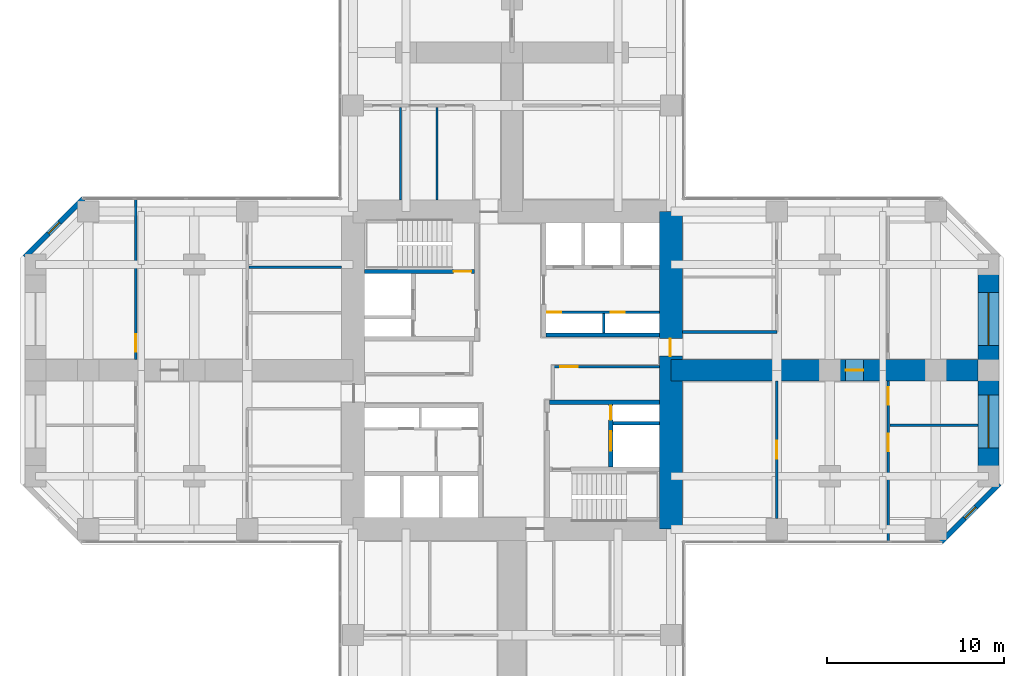
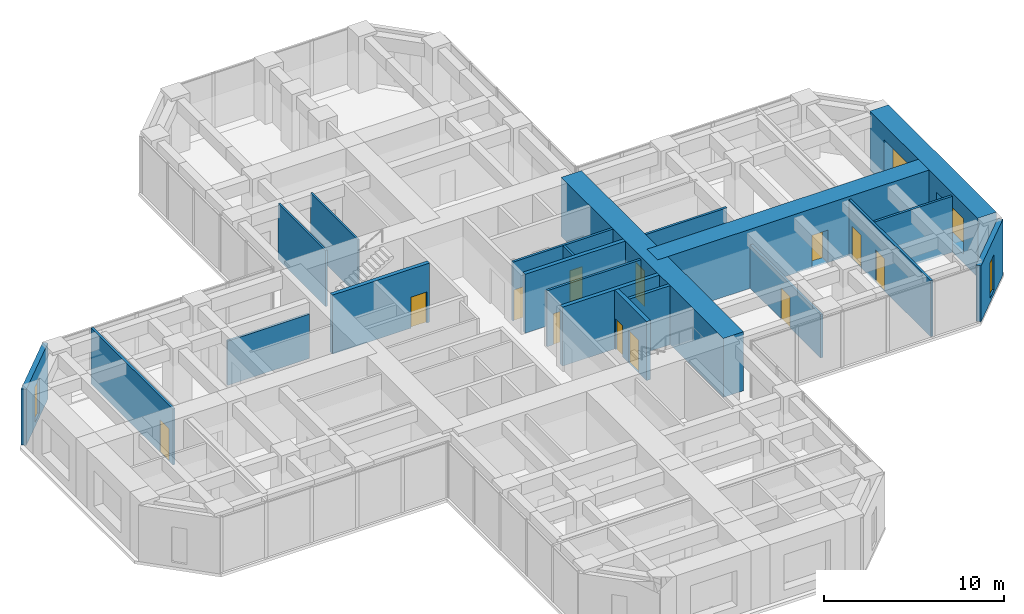
# One storey, part 10 of 13: 21 walls, 12 doors, 4 windows, 16 openings.
"""IFC4 building model written with IfcOpenShell, lengths in metres."""

from ifc_helpers import new_model, si_unit, direction, frame, frame_2d, origin, place, context, subcontext, project, spatial, rectangle, hollow_rectangle, extrude, material, layer, layer_set, constituent, constituent_set, type_object, element, fill, save


model = new_model("IFC4")

# Units and contexts
model_context = context("Model", 3, precision=1e-05, world=origin(), true_north=direction((0.0, 1.0)))
body_context = subcontext(model_context, "Body", "Model", "MODEL_VIEW")
ifc_project = project(units=[si_unit("LENGTHUNIT", "METRE"), si_unit("AREAUNIT", "SQUARE_METRE"), si_unit("VOLUMEUNIT", "CUBIC_METRE"), si_unit("PLANEANGLEUNIT", "RADIAN"), si_unit("MASSUNIT", "GRAM", prefix="KILO")], contexts=[model_context])

# Site, building, storey
site_placement = place(None, origin())
site = spatial("IfcSite", under=ifc_project, at=site_placement, CompositionType="ELEMENT")
building_placement = place(site_placement, origin())
building = spatial("IfcBuilding", under=site, at=building_placement, Name="Torre Cruceta", CompositionType="ELEMENT")
storey_placement = place(building_placement, frame((0.0, 0.0, 55.5)))
storey = spatial("IfcBuildingStorey", under=building, at=storey_placement, Name="L13", CompositionType="ELEMENT", Elevation=55.5)

# Wall
ifc_material_1 = material(Name="Concrete G60 (fck 60 MPa)", Category="concrete")
ifc_layer_1 = layer(ifc_material_1, 0.25)
ifc_layer_set_1 = layer_set([ifc_layer_1], Name="Concrete G60 (fck 60 MPa)")
wall_type_1 = type_object("IfcWallType", Name="CORE INNER WALL 250 G60", PredefinedType="SHEAR", material=ifc_layer_set_1)
wall_1_placement = place(storey_placement, frame((1.925048828125, 2.0, 0.0), z_axis=(0.0, 0.0, 1.0), x_axis=(1.0, 0.0, 0.0)))
element("IfcWall", 1, at=wall_1_placement, inside=storey, type_object=wall_type_1, Name="CW4 L13 NE-CV", PredefinedType="SHEAR", context=body_context, shape_type="SweptSolid", body=[
    extrude(rectangle(XDim=6.425048828125, YDim=0.25, at=frame_2d((3.21240234375, 0.0))), origin(), (0.0, 0.0, 1.0), 4.0),
])

# Wall, opening, door
wall_2_placement = place(storey_placement, frame((-2.125, 5.60009765625, 0.0), z_axis=(0.0, 0.0, 1.0), x_axis=(-1.0, 0.0, 0.0)))
wall_2 = element("IfcWall", 2, at=wall_2_placement, inside=storey, type_object=wall_type_1, Name="CW4 L13 NW-SV", PredefinedType="SHEAR", context=body_context, shape_type="SweptSolid", body=[
    extrude(rectangle(XDim=6.22509765625, YDim=0.25, at=frame_2d((3.112548828125, 0.0))), origin(), (0.0, 0.0, 1.0), 4.0),
])
opening_1_placement = place(wall_2_placement, frame((0.175048828125, 0.0, 0.0)))
opening_1 = element("IfcOpeningElement", 3, at=opening_1_placement, cuts=wall_2, Name="Opening D3", PredefinedType="OPENING", context=body_context, shape_type="SweptSolid", body=[
    extrude(rectangle(XDim=1.0, YDim=2.10009765625, at=frame_2d((0.5, 1.050048828125))), frame((0.0, 0.135009765625, 0.0), z_axis=(0.0, -1.0, 0.0), x_axis=(1.0, 0.0, 0.0)), (0.0, 0.0, 1.0), 0.27001953125),
])
ifc_material_2 = material(Name="Steel DX51D", Category="steel")
ifc_constituent_1 = constituent(ifc_material_2, Name="Leaf and frame")
ifc_material_3 = material(Name="Polyester powder coating", Category="paint")
ifc_constituent_2 = constituent(ifc_material_3, Name="Finish")
ifc_constituent_set_1 = constituent_set(constituents=[ifc_constituent_1, ifc_constituent_2], Name="Steel fire door")
door_type_1 = type_object("IfcDoorType", Name="FIRE DOOR 1000X2100", OperationType="SINGLE_SWING_LEFT", PredefinedType="DOOR", material=ifc_constituent_set_1)
door_1_placement = place(opening_1_placement, frame((1.0, 0.0, 0.0), z_axis=(0.0, 0.0, 1.0), x_axis=(-1.0, 0.0, 0.0)))
door_1 = element("IfcDoor", 4, at=door_1_placement, inside=storey, type_object=door_type_1, Name="D3 L13 NW-STAIR", OperationType="SINGLE_SWING_RIGHT", OverallHeight=2.10009765625, OverallWidth=1.0, PredefinedType="DOOR", context=body_context, shape_type="SweptSolid", body=[
    extrude(rectangle(XDim=1.0, YDim=2.10009765625, at=frame_2d((0.5, 1.050048828125))), frame((0.0, 0.025146484375, 0.0), z_axis=(0.0, -1.0, 0.0), x_axis=(1.0, 0.0, 0.0)), (0.0, 0.0, 1.0), 0.050048828125),
])
fill(opening_1, door_1)

# Wall
wall_3_placement = place(storey_placement, frame((2.125, -1.800048828125, 0.0), z_axis=(0.0, 0.0, 1.0), x_axis=(1.0, 0.0, 0.0)))
element("IfcWall", 5, at=wall_3_placement, inside=storey, type_object=wall_type_1, Name="CW4 L13 SE-CV", PredefinedType="SHEAR", context=body_context, shape_type="SweptSolid", body=[
    extrude(rectangle(XDim=6.22509765625, YDim=0.25, at=frame_2d((3.112548828125, 0.0))), origin(), (0.0, 0.0, 1.0), 4.0),
])

# Wall, openings, doors
wall_4_placement = place(storey_placement, frame((5.60009765625, -1.925048828125, 0.0), z_axis=(0.0, 0.0, 1.0), x_axis=(0.0, -1.0, 0.0)))
wall_4 = element("IfcWall", 6, at=wall_4_placement, inside=storey, type_object=wall_type_1, Name="CW4 L13 SE-FU", PredefinedType="SHEAR", context=body_context, shape_type="SweptSolid", body=[
    extrude(rectangle(XDim=3.550048828125, YDim=0.25, at=frame_2d((1.77490234375, 0.0))), origin(), (0.0, 0.0, 1.0), 4.0),
])
opening_2_placement = place(wall_4_placement, frame((1.52490234375, 0.0, 0.0)))
opening_2 = element("IfcOpeningElement", 7, at=opening_2_placement, cuts=wall_4, Name="Opening LD1", PredefinedType="OPENING", context=body_context, shape_type="SweptSolid", body=[
    extrude(rectangle(XDim=1.10009765625, YDim=2.199951171875, at=frame_2d((0.550048828125, 1.10009765625))), frame((0.0, 0.135009765625, 0.0), z_axis=(0.0, -1.0, 0.0), x_axis=(1.0, 0.0, 0.0)), (0.0, 0.0, 1.0), 0.27001953125),
])
opening_3_placement = place(wall_4_placement, frame((0.074951171875, 0.0, 0.0)))
opening_3 = element("IfcOpeningElement", 8, at=opening_3_placement, cuts=wall_4, Name="Opening D5", PredefinedType="OPENING", context=body_context, shape_type="SweptSolid", body=[
    extrude(rectangle(XDim=0.800048828125, YDim=2.10009765625, at=frame_2d((0.39990234375, 1.050048828125))), frame((0.0, 0.135009765625, 0.0), z_axis=(0.0, -1.0, 0.0), x_axis=(1.0, 0.0, 0.0)), (0.0, 0.0, 1.0), 0.27001953125),
])
ifc_material_4 = material(Name="Stainless steel 1.4401", Category="steel")
door_type_2 = type_object("IfcDoorType", Name="LIFT LANDING DOOR 1100X2200", OperationType="DOUBLE_DOOR_SLIDING", PredefinedType="DOOR", material=ifc_material_4)
door_2_placement = place(opening_2_placement, origin())
door_2 = element("IfcDoor", 9, at=door_2_placement, inside=storey, type_object=door_type_2, Name="Lift landing door FL2", OperationType="DOUBLE_DOOR_SLIDING", OverallHeight=2.199951171875, OverallWidth=1.10009765625, PredefinedType="DOOR", context=body_context, shape_type="SweptSolid", body=[
    extrude(rectangle(XDim=1.10009765625, YDim=2.199951171875, at=frame_2d((0.550048828125, 1.10009765625))), frame((0.0, 0.02490234375, 0.0), z_axis=(0.0, -1.0, 0.0), x_axis=(1.0, 0.0, 0.0)), (0.0, 0.0, 1.0), 0.050048828125),
])
fill(opening_2, door_2)
ifc_material_5 = material(Name="Steel DX51D", Category="steel")
ifc_constituent_3 = constituent(ifc_material_5, Name="Leaf and frame")
ifc_material_6 = material(Name="Polyester powder coating", Category="paint")
ifc_constituent_4 = constituent(ifc_material_6, Name="Finish")
ifc_constituent_set_2 = constituent_set(constituents=[ifc_constituent_3, ifc_constituent_4], Name="Steel fire door")
door_type_3 = type_object("IfcDoorType", Name="RISER ACCESS DOOR 800X2100", OperationType="SINGLE_SWING_LEFT", PredefinedType="DOOR", material=ifc_constituent_set_2)
door_3_placement = place(opening_3_placement, origin())
door_3 = element("IfcDoor", 10, at=door_3_placement, inside=storey, type_object=door_type_3, Name="D5 L13 SE-RISER", OperationType="SINGLE_SWING_LEFT", OverallHeight=2.10009765625, OverallWidth=0.800048828125, PredefinedType="DOOR", context=body_context, shape_type="SweptSolid", body=[
    extrude(rectangle(XDim=0.800048828125, YDim=2.10009765625, at=frame_2d((0.39990234375, 1.050048828125))), frame((0.0, 0.02490234375, 0.0), z_axis=(0.0, -1.0, 0.0), x_axis=(1.0, 0.0, 0.0)), (0.0, 0.0, 1.0), 0.050048828125),
])
fill(opening_3, door_3)

# Wall, opening, door
ifc_material_7 = material(Name="Concrete G60 (fck 60 MPa)", Category="concrete")
ifc_layer_2 = layer(ifc_material_7, 1.300048828125)
ifc_layer_set_2 = layer_set([ifc_layer_2], Name="Concrete G60 (fck 60 MPa)")
wall_type_2 = type_object("IfcWallType", Name="CORE WALL 1300 G60", PredefinedType="SHEAR", material=ifc_layer_set_2)
wall_5_placement = place(storey_placement, frame((9.0, -9.0, 0.0), z_axis=(0.0, 0.0, 1.0), x_axis=(0.0, 1.0, 0.0)))
wall_5 = element("IfcWall", 11, at=wall_5_placement, inside=storey, type_object=wall_type_2, Name="CW1 L13 CW-E", PredefinedType="SHEAR", context=body_context, shape_type="SweptSolid", body=[
    extrude(rectangle(XDim=18.0, YDim=1.300048828125, at=frame_2d((9.0, 0.0))), origin(), (0.0, 0.0, 1.0), 4.0),
])
opening_4_placement = place(wall_5_placement, frame((9.800048828125, 0.0, 0.0)))
opening_4 = element("IfcOpeningElement", 12, at=opening_4_placement, cuts=wall_5, Name="Opening D4", PredefinedType="OPENING", context=body_context, shape_type="SweptSolid", body=[
    extrude(rectangle(XDim=1.0, YDim=2.39990234375, at=frame_2d((0.5, 1.199951171875))), frame((0.0, 0.659912109375, 0.0), z_axis=(0.0, -1.0, 0.0), x_axis=(1.0, 0.0, 0.0)), (0.0, 0.0, 1.0), 1.320068359375),
])
ifc_material_8 = material(Name="Steel DX51D", Category="steel")
ifc_constituent_5 = constituent(ifc_material_8, Name="Leaf and frame")
ifc_material_9 = material(Name="Polyester powder coating", Category="paint")
ifc_constituent_6 = constituent(ifc_material_9, Name="Finish")
ifc_constituent_set_3 = constituent_set(constituents=[ifc_constituent_5, ifc_constituent_6], Name="Steel fire door")
door_type_4 = type_object("IfcDoorType", Name="CORE ARM DOOR 1000X2400", OperationType="SINGLE_SWING_RIGHT", PredefinedType="DOOR", material=ifc_constituent_set_3)
door_4_placement = place(opening_4_placement, frame((1.0, 0.0, 0.0), z_axis=(0.0, 0.0, 1.0), x_axis=(-1.0, 0.0, 0.0)))
door_4 = element("IfcDoor", 13, at=door_4_placement, inside=storey, type_object=door_type_4, Name="D4 L13 CW-E", OperationType="SINGLE_SWING_RIGHT", OverallHeight=2.39990234375, OverallWidth=1.0, PredefinedType="DOOR", context=body_context, shape_type="SweptSolid", body=[
    extrude(rectangle(XDim=1.0, YDim=2.39990234375, at=frame_2d((0.5, 1.199951171875))), frame((0.0, -0.005126953125, 0.0), z_axis=(0.0, -1.0, 0.0), x_axis=(1.0, 0.0, 0.0)), (0.0, 0.0, 1.0), 0.050048828125),
])
fill(opening_4, door_4)

# Wall, opening, window
ifc_material_10 = material(Name="Concrete G30 (fck 30 MPa)", Category="concrete")
ifc_layer_3 = layer(ifc_material_10, 0.300048828125)
ifc_layer_set_3 = layer_set([ifc_layer_3], Name="Concrete G30 (fck 30 MPa)")
wall_type_3 = type_object("IfcWallType", Name="EXPOSED CONCRETE FACADE WALL 300", PredefinedType="SOLIDWALL", material=ifc_layer_set_3)
wall_6_placement = place(storey_placement, frame((24.29833984375, -9.719970703125, 0.0), z_axis=(0.0, 0.0, 1.0), x_axis=(0.707106781187, 0.707106781187, 0.0)))
wall_6 = element("IfcWall", 14, at=wall_6_placement, inside=storey, type_object=wall_type_3, Name="EW1 facade wall L13 E chamfer 01", PredefinedType="SOLIDWALL", context=body_context, shape_type="SweptSolid", body=[
    extrude(rectangle(XDim=4.66943359375, YDim=0.300048828125, at=frame_2d((2.334716796875, 0.0))), origin(), (0.0, 0.0, 1.0), 3.800048828125),
])
opening_5_placement = place(wall_6_placement, frame((1.884765625, 0.0, 0.300048828125)))
opening_5 = element("IfcOpeningElement", 15, at=opening_5_placement, cuts=wall_6, Name="Opening WN5", PredefinedType="OPENING", context=body_context, shape_type="SweptSolid", body=[
    extrude(rectangle(XDim=0.89990234375, YDim=2.39990234375, at=frame_2d((0.449951171875, 1.199951171875))), frame((0.0, 0.159912109375, 0.0), z_axis=(0.0, -1.0, 0.0), x_axis=(1.0, 0.0, 0.0)), (0.0, 0.0, 1.0), 0.320068359375),
])
ifc_material_11 = material(Name="Aluminium window frame", Category="aluminium")
ifc_constituent_7 = constituent(ifc_material_11, Name="Frame")
ifc_material_12 = material(Name="Laminated insulating glass unit, low-iron clear", Category="glass")
ifc_constituent_8 = constituent(ifc_material_12, Name="Glazing")
ifc_constituent_set_4 = constituent_set(constituents=[ifc_constituent_7, ifc_constituent_8], Name="Aluminium window")
window_type_1 = type_object("IfcWindowType", Name="CHAMFER SLOT WINDOW 900X2400", PartitioningType="SINGLE_PANEL", PredefinedType="WINDOW", material=ifc_constituent_set_4)
window_1_placement = place(opening_5_placement, origin())
window_1 = element("IfcWindow", 16, at=window_1_placement, inside=storey, type_object=window_type_1, Name="WN5 L13 E 1", OverallHeight=2.39990234375, OverallWidth=0.89990234375, PartitioningType="SINGLE_PANEL", PredefinedType="WINDOW", context=body_context, shape_type="SweptSolid", body=[
    extrude(hollow_rectangle(XDim=0.89990234375, YDim=2.39990234375, WallThickness=0.06005859375, at=frame_2d((0.449951171875, 1.199951171875))), frame((0.0, 0.030029296875, 0.0), z_axis=(0.0, -1.0, 0.0), x_axis=(1.0, 0.0, 0.0)), (0.0, 0.0, 1.0), 0.06005859375),
    extrude(rectangle(XDim=0.77880859375, YDim=2.27880859375, at=frame_2d((0.449951171875, 1.199951171875))), frame((0.0, 0.030029296875, 0.0), z_axis=(0.0, -1.0, 0.0), x_axis=(1.0, 0.0, 0.0)), (0.0, 0.0, 1.0), 0.06005859375),
])
fill(opening_5, window_1)

wall_7_placement = place(storey_placement, frame((-24.29833984375, 9.719970703125, 0.0), z_axis=(0.0, 0.0, 1.0), x_axis=(-0.707106781187, -0.707106781187, 0.0)))
wall_7 = element("IfcWall", 17, at=wall_7_placement, inside=storey, type_object=wall_type_3, Name="EW1 facade wall L13 W chamfer 11", PredefinedType="SOLIDWALL", context=body_context, shape_type="SweptSolid", body=[
    extrude(rectangle(XDim=4.66943359375, YDim=0.300048828125, at=frame_2d((2.334716796875, 0.0))), origin(), (0.0, 0.0, 1.0), 3.800048828125),
])
opening_6_placement = place(wall_7_placement, frame((1.884765625, 0.0, 0.300048828125)))
opening_6 = element("IfcOpeningElement", 18, at=opening_6_placement, cuts=wall_7, Name="Opening WN5", PredefinedType="OPENING", context=body_context, shape_type="SweptSolid", body=[
    extrude(rectangle(XDim=0.89990234375, YDim=2.39990234375, at=frame_2d((0.449951171875, 1.199951171875))), frame((0.0, 0.159912109375, 0.0), z_axis=(0.0, -1.0, 0.0), x_axis=(1.0, 0.0, 0.0)), (0.0, 0.0, 1.0), 0.320068359375),
])
window_2_placement = place(opening_6_placement, origin())
window_2 = element("IfcWindow", 19, at=window_2_placement, inside=storey, type_object=window_type_1, Name="WN5 L13 W 1", OverallHeight=2.39990234375, OverallWidth=0.89990234375, PartitioningType="SINGLE_PANEL", PredefinedType="WINDOW", context=body_context, shape_type="SweptSolid", body=[
    extrude(hollow_rectangle(XDim=0.89990234375, YDim=2.39990234375, WallThickness=0.06005859375, at=frame_2d((0.449951171875, 1.199951171875))), frame((0.0, 0.030029296875, 0.0), z_axis=(0.0, -1.0, 0.0), x_axis=(1.0, 0.0, 0.0)), (0.0, 0.0, 1.0), 0.06005859375),
    extrude(rectangle(XDim=0.77880859375, YDim=2.27880859375, at=frame_2d((0.449951171875, 1.199951171875))), frame((0.0, 0.030029296875, 0.0), z_axis=(0.0, -1.0, 0.0), x_axis=(1.0, 0.0, 0.0)), (0.0, 0.0, 1.0), 0.06005859375),
])
fill(opening_6, window_2)

# Wall
ifc_material_13 = material(Name="Concrete G35 (fck 35 MPa)", Category="concrete")
ifc_layer_4 = layer(ifc_material_13, 0.199951171875)
ifc_layer_set_4 = layer_set([ifc_layer_4], Name="Concrete G35 (fck 35 MPa)")
wall_type_4 = type_object("IfcWallType", Name="LIFT SHAFT WALL 200", PredefinedType="PARTITIONING", material=ifc_layer_set_4)
wall_8_placement = place(storey_placement, frame((5.72509765625, -3.0, 0.0), z_axis=(0.0, 0.0, 1.0), x_axis=(1.0, 0.0, 0.0)))
element("IfcWall", 20, at=wall_8_placement, inside=storey, type_object=wall_type_4, Name="SW1 L13 SE-FR", PredefinedType="PARTITIONING", context=body_context, shape_type="SweptSolid", body=[
    extrude(rectangle(XDim=2.625, YDim=0.199951171875, at=frame_2d((1.3125, 0.0))), origin(), (0.0, 0.0, 1.0), 4.0),
])

# Wall, openings, windows
ifc_material_14 = material(Name="Concrete G60 (fck 60 MPa)", Category="concrete")
ifc_layer_5 = layer(ifc_material_14, 1.199951171875)
ifc_layer_set_5 = layer_set([ifc_layer_5], Name="Concrete G60 (fck 60 MPa)")
wall_type_5 = type_object("IfcWallType", Name="NOSE WALL 1200 G60", PredefinedType="SHEAR", material=ifc_layer_set_5)
wall_9_placement = place(storey_placement, frame((27.0, -6.0, 0.0), z_axis=(0.0, 0.0, 1.0), x_axis=(0.0, 1.0, 0.0)))
wall_9 = element("IfcWall", 21, at=wall_9_placement, inside=storey, type_object=wall_type_5, Name="NW1 nose wall L13 E", PredefinedType="SHEAR", context=body_context, shape_type="SweptSolid", body=[
    extrude(rectangle(XDim=12.0, YDim=1.199951171875, at=frame_2d((6.0, 0.0))), origin(), (0.0, 0.0, 1.0), 4.0),
])
opening_7_placement = place(wall_9_placement, frame((1.60009765625, 0.0, 0.60009765625)))
opening_7 = element("IfcOpeningElement", 22, at=opening_7_placement, cuts=wall_9, Name="Opening WN6", PredefinedType="OPENING", context=body_context, shape_type="SweptSolid", body=[
    extrude(rectangle(XDim=3.0, YDim=2.39990234375, at=frame_2d((1.5, 1.199951171875))), frame((0.0, 0.60986328125, 0.0), z_axis=(0.0, -1.0, 0.0), x_axis=(1.0, 0.0, 0.0)), (0.0, 0.0, 1.0), 1.219970703125),
])
opening_8_placement = place(wall_9_placement, frame((7.39990234375, 0.0, 0.60009765625)))
opening_8 = element("IfcOpeningElement", 23, at=opening_8_placement, cuts=wall_9, Name="Opening WN6", PredefinedType="OPENING", context=body_context, shape_type="SweptSolid", body=[
    extrude(rectangle(XDim=3.0, YDim=2.39990234375, at=frame_2d((1.5, 1.199951171875))), frame((0.0, 0.60986328125, 0.0), z_axis=(0.0, -1.0, 0.0), x_axis=(1.0, 0.0, 0.0)), (0.0, 0.0, 1.0), 1.219970703125),
])
ifc_material_15 = material(Name="Aluminium window frame", Category="aluminium")
ifc_constituent_9 = constituent(ifc_material_15, Name="Frame")
ifc_material_16 = material(Name="Laminated insulating glass unit, low-iron clear", Category="glass")
ifc_constituent_10 = constituent(ifc_material_16, Name="Glazing")
ifc_constituent_set_5 = constituent_set(constituents=[ifc_constituent_9, ifc_constituent_10], Name="Aluminium window")
window_type_2 = type_object("IfcWindowType", Name="NOSE WALL WINDOW 3000X2400", PartitioningType="SINGLE_PANEL", PredefinedType="WINDOW", material=ifc_constituent_set_5)
window_3_placement = place(opening_7_placement, origin())
window_3 = element("IfcWindow", 24, at=window_3_placement, inside=storey, type_object=window_type_2, Name="WN6 L13 E 1", OverallHeight=2.39990234375, OverallWidth=3.0, PartitioningType="SINGLE_PANEL", PredefinedType="WINDOW", context=body_context, shape_type="SweptSolid", body=[
    extrude(hollow_rectangle(XDim=3.0, YDim=2.39990234375, WallThickness=0.06005859375, at=frame_2d((1.5, 1.199951171875))), frame((0.0, 0.030029296875, 0.0), z_axis=(0.0, -1.0, 0.0), x_axis=(1.0, 0.0, 0.0)), (0.0, 0.0, 1.0), 0.06005859375),
    extrude(rectangle(XDim=2.87890625, YDim=2.27880859375, at=frame_2d((1.5, 1.199951171875))), frame((0.0, 0.030029296875, 0.0), z_axis=(0.0, -1.0, 0.0), x_axis=(1.0, 0.0, 0.0)), (0.0, 0.0, 1.0), 0.06005859375),
])
fill(opening_7, window_3)
window_4_placement = place(opening_8_placement, origin())
window_4 = element("IfcWindow", 25, at=window_4_placement, inside=storey, type_object=window_type_2, Name="WN6 L13 E 2", OverallHeight=2.39990234375, OverallWidth=3.0, PartitioningType="SINGLE_PANEL", PredefinedType="WINDOW", context=body_context, shape_type="SweptSolid", body=[
    extrude(hollow_rectangle(XDim=3.0, YDim=2.39990234375, WallThickness=0.06005859375, at=frame_2d((1.5, 1.199951171875))), frame((0.0, 0.030029296875, 0.0), z_axis=(0.0, -1.0, 0.0), x_axis=(1.0, 0.0, 0.0)), (0.0, 0.0, 1.0), 0.06005859375),
    extrude(rectangle(XDim=2.87890625, YDim=2.27880859375, at=frame_2d((1.5, 1.199951171875))), frame((0.0, 0.030029296875, 0.0), z_axis=(0.0, -1.0, 0.0), x_axis=(1.0, 0.0, 0.0)), (0.0, 0.0, 1.0), 0.06005859375),
])
fill(opening_8, window_4)

# Wall, opening, door
ifc_material_17 = material(Name="Plasterboard on steel studs", Category="steel")
ifc_layer_6 = layer(ifc_material_17, 0.14990234375)
ifc_layer_set_6 = layer_set([ifc_layer_6], Name="Plasterboard on steel studs")
wall_type_6 = type_object("IfcWallType", Name="PARTITION 150", PredefinedType="PARTITIONING", material=ifc_layer_set_6)
wall_10_placement = place(storey_placement, frame((2.324951171875, 0.199951171875, 0.0), z_axis=(0.0, 0.0, 1.0), x_axis=(1.0, 0.0, 0.0)))
wall_10 = element("IfcWall", 26, at=wall_10_placement, inside=storey, type_object=wall_type_6, Name="PT1 L13-CORE-LEGE-S-W1", PredefinedType="PARTITIONING", context=body_context, shape_type="SweptSolid", body=[
    extrude(rectangle(XDim=6.025146484375, YDim=0.14990234375, at=frame_2d((3.0126953125, 0.0))), origin(), (0.0, 0.0, 1.0), 3.800048828125),
])
opening_9_placement = place(wall_10_placement, frame((0.39990234375, 0.0, 0.0)))
opening_9 = element("IfcOpeningElement", 27, at=opening_9_placement, cuts=wall_10, Name="Opening D3", PredefinedType="OPENING", context=body_context, shape_type="SweptSolid", body=[
    extrude(rectangle(XDim=1.0, YDim=2.10009765625, at=frame_2d((0.5, 1.050048828125))), frame((0.0, 0.0849609375, 0.0), z_axis=(0.0, -1.0, 0.0), x_axis=(1.0, 0.0, 0.0)), (0.0, 0.0, 1.0), 0.169921875),
])
door_5_placement = place(opening_9_placement, frame((1.0, 0.0, 0.0), z_axis=(0.0, 0.0, 1.0), x_axis=(-1.0, 0.0, 0.0)))
door_5 = element("IfcDoor", 28, at=door_5_placement, inside=storey, type_object=door_type_1, Name="D3 L13-CORE-LEGE-S-W1-D1", OperationType="SINGLE_SWING_RIGHT", OverallHeight=2.10009765625, OverallWidth=1.0, PredefinedType="DOOR", context=body_context, shape_type="SweptSolid", body=[
    extrude(rectangle(XDim=1.0, YDim=2.10009765625, at=frame_2d((0.5, 1.050048828125))), frame((0.0, 0.025146484375, 0.0), z_axis=(0.0, -1.0, 0.0), x_axis=(1.0, 0.0, 0.0)), (0.0, 0.0, 1.0), 0.050048828125),
])
fill(opening_9, door_5)

# Wall
wall_11_placement = place(storey_placement, frame((9.64990234375, 2.175048828125, 0.0), z_axis=(0.0, 0.0, 1.0), x_axis=(1.0, 0.0, 0.0)))
element("IfcWall", 29, at=wall_11_placement, inside=storey, type_object=wall_type_6, Name="PT1 L13-E-BSL", PredefinedType="PARTITIONING", context=body_context, shape_type="SweptSolid", body=[
    extrude(rectangle(XDim=5.35009765625, YDim=0.14990234375, at=frame_2d((2.675048828125, 0.0))), origin(), (0.0, 0.0, 1.0), 3.800048828125),
])

# Wall, opening, door
wall_12_placement = place(storey_placement, frame((15.0, -8.39990234375, 0.0), z_axis=(0.0, 0.0, 1.0), x_axis=(0.0, 1.0, 0.0)))
wall_12 = element("IfcWall", 30, at=wall_12_placement, inside=storey, type_object=wall_type_6, Name="PT1 L13-E-BFR", PredefinedType="PARTITIONING", context=body_context, shape_type="SweptSolid", body=[
    extrude(rectangle(XDim=7.7998046875, YDim=0.14990234375, at=frame_2d((3.89990234375, 0.0))), origin(), (0.0, 0.0, 1.0), 2.949951171875),
])
opening_10_placement = place(wall_12_placement, frame((3.39990234375, 0.0, 0.0)))
opening_10 = element("IfcOpeningElement", 31, at=opening_10_placement, cuts=wall_12, Name="Opening D3", PredefinedType="OPENING", context=body_context, shape_type="SweptSolid", body=[
    extrude(rectangle(XDim=1.0, YDim=2.10009765625, at=frame_2d((0.5, 1.050048828125))), frame((0.0, 0.0849609375, 0.0), z_axis=(0.0, -1.0, 0.0), x_axis=(1.0, 0.0, 0.0)), (0.0, 0.0, 1.0), 0.169921875),
])
door_6_placement = place(opening_10_placement, origin())
door_6 = element("IfcDoor", 32, at=door_6_placement, inside=storey, type_object=door_type_1, Name="D3 L13-E-BFR-D1", OperationType="SINGLE_SWING_RIGHT", OverallHeight=2.10009765625, OverallWidth=1.0, PredefinedType="DOOR", context=body_context, shape_type="SweptSolid", body=[
    extrude(rectangle(XDim=1.0, YDim=2.10009765625, at=frame_2d((0.5, 1.050048828125))), frame((0.0, 0.02490234375, 0.0), z_axis=(0.0, -1.0, 0.0), x_axis=(1.0, 0.0, 0.0)), (0.0, 0.0, 1.0), 0.050048828125),
])
fill(opening_10, door_6)

# Wall
wall_13_placement = place(storey_placement, frame((21.419921875, -3.117919921875, 0.0), z_axis=(0.0, 0.0, 1.0), x_axis=(1.0, 0.0, 0.0)))
element("IfcWall", 33, at=wall_13_placement, inside=storey, type_object=wall_type_6, Name="PT1 L13-E-TDR", PredefinedType="PARTITIONING", context=body_context, shape_type="SweptSolid", body=[
    extrude(rectangle(XDim=4.97998046875, YDim=0.14990234375, at=frame_2d((2.489990234375, 0.0))), origin(), (0.0, 0.0, 1.0), 3.800048828125),
])

# Wall, openings, doors
wall_14_placement = place(storey_placement, frame((21.320068359375, -9.679931640625, 0.0), z_axis=(0.0, 0.0, 1.0), x_axis=(0.0, 1.0, 0.0)))
wall_14 = element("IfcWall", 34, at=wall_14_placement, inside=storey, type_object=wall_type_6, Name="PT1 L13-E-TWR", PredefinedType="PARTITIONING", context=body_context, shape_type="SweptSolid", body=[
    extrude(rectangle(XDim=9.079833984375, YDim=0.14990234375, at=frame_2d((4.5400390625, 0.0))), origin(), (0.0, 0.0, 1.0), 3.800048828125),
])
opening_11_placement = place(wall_14_placement, frame((5.0869140625, 0.0, 0.0)))
opening_11 = element("IfcOpeningElement", 35, at=opening_11_placement, cuts=wall_14, Name="Opening D14", PredefinedType="OPENING", context=body_context, shape_type="SweptSolid", body=[
    extrude(rectangle(XDim=1.0, YDim=2.199951171875, at=frame_2d((0.5, 1.10009765625))), frame((0.0, 0.0849609375, 0.0), z_axis=(0.0, -1.0, 0.0), x_axis=(1.0, 0.0, 0.0)), (0.0, 0.0, 1.0), 0.169921875),
])
opening_12_placement = place(wall_14_placement, frame((7.72998046875, 0.0, 0.0)))
opening_12 = element("IfcOpeningElement", 36, at=opening_12_placement, cuts=wall_14, Name="Opening D14", PredefinedType="OPENING", context=body_context, shape_type="SweptSolid", body=[
    extrude(rectangle(XDim=1.0, YDim=2.199951171875, at=frame_2d((0.5, 1.10009765625))), frame((0.0, 0.0849609375, 0.0), z_axis=(0.0, -1.0, 0.0), x_axis=(1.0, 0.0, 0.0)), (0.0, 0.0, 1.0), 0.169921875),
])
ifc_material_18 = material(Name="Steel DX51D", Category="steel")
ifc_constituent_11 = constituent(ifc_material_18, Name="Leaf and frame")
ifc_material_19 = material(Name="Polyester powder coating", Category="paint")
ifc_constituent_12 = constituent(ifc_material_19, Name="Finish")
ifc_material_20 = material(Name="Fire-resisting glass", Category="glass")
ifc_constituent_13 = constituent(ifc_material_20, Name="Vision panel")
ifc_constituent_set_6 = constituent_set(constituents=[ifc_constituent_11, ifc_constituent_12, ifc_constituent_13], Name="Steel fire door with vision panel")
door_type_5 = type_object("IfcDoorType", Name="FIRE DOOR VISION PANEL 1000X2200", OperationType="SINGLE_SWING_RIGHT", PredefinedType="DOOR", material=ifc_constituent_set_6)
door_7_placement = place(opening_11_placement, frame((1.0, 0.0, 0.0), z_axis=(0.0, 0.0, 1.0), x_axis=(-1.0, 0.0, 0.0)))
door_7 = element("IfcDoor", 37, at=door_7_placement, inside=storey, type_object=door_type_5, Name="D14 L13-E-TWR-D1", OperationType="SINGLE_SWING_LEFT", OverallHeight=2.199951171875, OverallWidth=1.0, PredefinedType="DOOR", context=body_context, shape_type="SweptSolid", body=[
    extrude(rectangle(XDim=1.0, YDim=2.199951171875, at=frame_2d((0.5, 1.10009765625))), frame((0.0, 0.025146484375, 0.0), z_axis=(0.0, -1.0, 0.0), x_axis=(1.0, 0.0, 0.0)), (0.0, 0.0, 1.0), 0.050048828125),
])
fill(opening_11, door_7)
door_8_placement = place(opening_12_placement, frame((1.0, 0.0, 0.0), z_axis=(0.0, 0.0, 1.0), x_axis=(-1.0, 0.0, 0.0)))
door_8 = element("IfcDoor", 38, at=door_8_placement, inside=storey, type_object=door_type_5, Name="D14 L13-E-TWR-D2", OperationType="SINGLE_SWING_LEFT", OverallHeight=2.199951171875, OverallWidth=1.0, PredefinedType="DOOR", context=body_context, shape_type="SweptSolid", body=[
    extrude(rectangle(XDim=1.0, YDim=2.199951171875, at=frame_2d((0.5, 1.10009765625))), frame((0.0, 0.025146484375, 0.0), z_axis=(0.0, -1.0, 0.0), x_axis=(1.0, 0.0, 0.0)), (0.0, 0.0, 1.0), 0.050048828125),
])
fill(opening_12, door_8)

# Wall
wall_15_placement = place(storey_placement, frame((-9.64990234375, 5.833251953125, 0.0), z_axis=(0.0, 0.0, 1.0), x_axis=(-1.0, 0.0, 0.0)))
element("IfcWall", 39, at=wall_15_placement, inside=storey, type_object=wall_type_6, Name="PT1 L13-W-BDR2", PredefinedType="PARTITIONING", context=body_context, shape_type="SweptSolid", body=[
    extrude(rectangle(XDim=5.25, YDim=0.14990234375, at=frame_2d((2.625, 0.0))), origin(), (0.0, 0.0, 1.0), 3.0),
])

# Wall, opening, door
wall_16_placement = place(storey_placement, frame((-21.320068359375, 9.679931640625, 0.0), z_axis=(0.0, 0.0, 1.0), x_axis=(0.0, -1.0, 0.0)))
wall_16 = element("IfcWall", 40, at=wall_16_placement, inside=storey, type_object=wall_type_6, Name="PT1 L13-W-TWR", PredefinedType="PARTITIONING", context=body_context, shape_type="SweptSolid", body=[
    extrude(rectangle(XDim=9.079833984375, YDim=0.14990234375, at=frame_2d((4.5400390625, 0.0))), origin(), (0.0, 0.0, 1.0), 3.800048828125),
])
opening_13_placement = place(wall_16_placement, frame((7.6298828125, 0.0, 0.0)))
opening_13 = element("IfcOpeningElement", 41, at=opening_13_placement, cuts=wall_16, Name="Opening D14", PredefinedType="OPENING", context=body_context, shape_type="SweptSolid", body=[
    extrude(rectangle(XDim=1.0, YDim=2.199951171875, at=frame_2d((0.5, 1.10009765625))), frame((0.0, 0.0849609375, 0.0), z_axis=(0.0, -1.0, 0.0), x_axis=(1.0, 0.0, 0.0)), (0.0, 0.0, 1.0), 0.169921875),
])
door_9_placement = place(opening_13_placement, frame((1.0, 0.0, 0.0), z_axis=(0.0, 0.0, 1.0), x_axis=(-1.0, 0.0, 0.0)))
door_9 = element("IfcDoor", 42, at=door_9_placement, inside=storey, type_object=door_type_5, Name="D14 L13-W-TWR-D1", OperationType="SINGLE_SWING_LEFT", OverallHeight=2.199951171875, OverallWidth=1.0, PredefinedType="DOOR", context=body_context, shape_type="SweptSolid", body=[
    extrude(rectangle(XDim=1.0, YDim=2.199951171875, at=frame_2d((0.5, 1.10009765625))), frame((0.0, 0.025146484375, 0.0), z_axis=(0.0, -1.0, 0.0), x_axis=(1.0, 0.0, 0.0)), (0.0, 0.0, 1.0), 0.050048828125),
])
fill(opening_13, door_9)

# Wall, openings, doors
ifc_material_21 = material(Name="Concrete block masonry", Category="masonry")
ifc_layer_7 = layer(ifc_material_21, 0.14990234375)
ifc_layer_set_7 = layer_set([ifc_layer_7], Name="Concrete block masonry")
wall_type_7 = type_object("IfcWallType", Name="RISER WALL 150", PredefinedType="PARTITIONING", material=ifc_layer_set_7)
wall_17_placement = place(storey_placement, frame((1.925048828125, 3.300048828125, 0.0), z_axis=(0.0, 0.0, 1.0), x_axis=(1.0, 0.0, 0.0)))
wall_17 = element("IfcWall", 43, at=wall_17_placement, inside=storey, type_object=wall_type_7, Name="SW7 L13 NE-RV", PredefinedType="PARTITIONING", context=body_context, shape_type="SweptSolid", body=[
    extrude(rectangle(XDim=6.425048828125, YDim=0.14990234375, at=frame_2d((3.21240234375, 0.0))), origin(), (0.0, 0.0, 1.0), 4.0),
])
opening_14_placement = place(wall_17_placement, frame((0.074951171875, 0.0, 0.0)))
opening_14 = element("IfcOpeningElement", 44, at=opening_14_placement, cuts=wall_17, Name="Opening D5", PredefinedType="OPENING", context=body_context, shape_type="SweptSolid", body=[
    extrude(rectangle(XDim=0.800048828125, YDim=2.10009765625, at=frame_2d((0.39990234375, 1.050048828125))), frame((0.0, 0.0849609375, 0.0), z_axis=(0.0, -1.0, 0.0), x_axis=(1.0, 0.0, 0.0)), (0.0, 0.0, 1.0), 0.169921875),
])
opening_15_placement = place(wall_17_placement, frame((3.675048828125, 0.0, 0.0)))
opening_15 = element("IfcOpeningElement", 45, at=opening_15_placement, cuts=wall_17, Name="Opening D5", PredefinedType="OPENING", context=body_context, shape_type="SweptSolid", body=[
    extrude(rectangle(XDim=0.800048828125, YDim=2.10009765625, at=frame_2d((0.39990234375, 1.050048828125))), frame((0.0, 0.0849609375, 0.0), z_axis=(0.0, -1.0, 0.0), x_axis=(1.0, 0.0, 0.0)), (0.0, 0.0, 1.0), 0.169921875),
])
door_10_placement = place(opening_14_placement, frame((0.800048828125, 0.0, 0.0), z_axis=(0.0, 0.0, 1.0), x_axis=(-1.0, 0.0, 0.0)))
door_10 = element("IfcDoor", 46, at=door_10_placement, inside=storey, type_object=door_type_3, Name="D5 L13 NE-RISER1", OperationType="SINGLE_SWING_RIGHT", OverallHeight=2.10009765625, OverallWidth=0.800048828125, PredefinedType="DOOR", context=body_context, shape_type="SweptSolid", body=[
    extrude(rectangle(XDim=0.800048828125, YDim=2.10009765625, at=frame_2d((0.400146484375, 1.050048828125))), frame((0.0, 0.025146484375, 0.0), z_axis=(0.0, -1.0, 0.0), x_axis=(1.0, 0.0, 0.0)), (0.0, 0.0, 1.0), 0.050048828125),
])
fill(opening_14, door_10)
door_11_placement = place(opening_15_placement, frame((0.800048828125, 0.0, 0.0), z_axis=(0.0, 0.0, 1.0), x_axis=(-1.0, 0.0, 0.0)))
door_11 = element("IfcDoor", 47, at=door_11_placement, inside=storey, type_object=door_type_3, Name="D5 L13 NE-RISER2", OperationType="SINGLE_SWING_RIGHT", OverallHeight=2.10009765625, OverallWidth=0.800048828125, PredefinedType="DOOR", context=body_context, shape_type="SweptSolid", body=[
    extrude(rectangle(XDim=0.800048828125, YDim=2.10009765625, at=frame_2d((0.400146484375, 1.050048828125))), frame((0.0, 0.025146484375, 0.0), z_axis=(0.0, -1.0, 0.0), x_axis=(1.0, 0.0, 0.0)), (0.0, 0.0, 1.0), 0.050048828125),
])
fill(opening_15, door_11)

# Wall
wall_18_placement = place(storey_placement, frame((5.199951171875, 2.125, 0.0), z_axis=(0.0, 0.0, 1.0), x_axis=(0.0, 1.0, 0.0)))
element("IfcWall", 48, at=wall_18_placement, inside=storey, type_object=wall_type_7, Name="SW7 L13 NE-RU", PredefinedType="PARTITIONING", context=body_context, shape_type="SweptSolid", body=[
    extrude(rectangle(XDim=1.10009765625, YDim=0.14990234375, at=frame_2d((0.550048828125, 0.0))), origin(), (0.0, 0.0, 1.0), 4.0),
])

# Wall, opening, door
ifc_material_22 = material(Name="Concrete G60 (fck 60 MPa)", Category="concrete")
ifc_layer_8 = layer(ifc_material_22, 1.199951171875)
ifc_layer_set_8 = layer_set([ifc_layer_8], Name="Concrete G60 (fck 60 MPa)")
wall_type_8 = type_object("IfcWallType", Name="SPINE WALL 1200 G60", PredefinedType="SHEAR", material=ifc_layer_set_8)
wall_19_placement = place(storey_placement, frame((9.0, 0.0, 0.0), z_axis=(0.0, 0.0, 1.0), x_axis=(1.0, 0.0, 0.0)))
wall_19 = element("IfcWall", 49, at=wall_19_placement, inside=storey, type_object=wall_type_8, Name="SW3 spine wall L13 E", PredefinedType="SHEAR", context=body_context, shape_type="SweptSolid", body=[
    extrude(rectangle(XDim=18.0, YDim=1.199951171875, at=frame_2d((9.0, 0.0))), origin(), (0.0, 0.0, 1.0), 4.0),
])
opening_16_placement = place(wall_19_placement, frame((9.89990234375, 0.0, 0.0)))
opening_16 = element("IfcOpeningElement", 50, at=opening_16_placement, cuts=wall_19, Name="Opening D14", PredefinedType="OPENING", context=body_context, shape_type="SweptSolid", body=[
    extrude(rectangle(XDim=1.0, YDim=2.199951171875, at=frame_2d((0.5, 1.10009765625))), frame((0.0, 0.60986328125, 0.0), z_axis=(0.0, -1.0, 0.0), x_axis=(1.0, 0.0, 0.0)), (0.0, 0.0, 1.0), 1.219970703125),
])
door_12_placement = place(opening_16_placement, frame((1.0, 0.0, 0.0), z_axis=(0.0, 0.0, 1.0), x_axis=(-1.0, 0.0, 0.0)))
door_12 = element("IfcDoor", 51, at=door_12_placement, inside=storey, type_object=door_type_5, Name="D14 L13-E-SP1", OperationType="SINGLE_SWING_LEFT", OverallHeight=2.199951171875, OverallWidth=1.0, PredefinedType="DOOR", context=body_context, shape_type="SweptSolid", body=[
    extrude(rectangle(XDim=1.0, YDim=2.199951171875, at=frame_2d((0.5, 1.10009765625))), frame((0.0, 0.025146484375, 0.0), z_axis=(0.0, -1.0, 0.0), x_axis=(1.0, 0.0, 0.0)), (0.0, 0.0, 1.0), 0.050048828125),
])
fill(opening_16, door_12)

# Walls
ifc_material_23 = material(Name="Plasterboard on steel studs", Category="steel")
ifc_layer_9 = layer(ifc_material_23, 0.1201171875)
ifc_layer_set_9 = layer_set([ifc_layer_9], Name="Plasterboard on steel studs")
wall_type_9 = type_object("IfcWallType", Name="WC PARTITION 120", PredefinedType="PLUMBINGWALL", material=ifc_layer_set_9)
for number, where, z_axis, x_axis, name in (
    (52, (-4.25, 9.64990234375, 0.0), (0.0, 0.0, 1.0), (0.0, 1.0, 0.0), "PT5 L13-N-BDL1"),
    (53, (-6.324951171875, 9.64990234375, 0.0), (0.0, 0.0, 1.0), (0.0, 1.0, 0.0), "PT5 L13-N-BDL2"),
):
    element("IfcWall", number, at=place(storey_placement, frame(where, z_axis=z_axis, x_axis=x_axis)), inside=storey, type_object=wall_type_9, Name=name, PredefinedType="PLUMBINGWALL", context=body_context, shape_type="SweptSolid", body=[
        extrude(rectangle(XDim=5.25, YDim=0.1201171875, at=frame_2d((2.625, 0.0))), origin(), (0.0, 0.0, 1.0), 3.800048828125),
    ])

save(model, "model.ifc")
